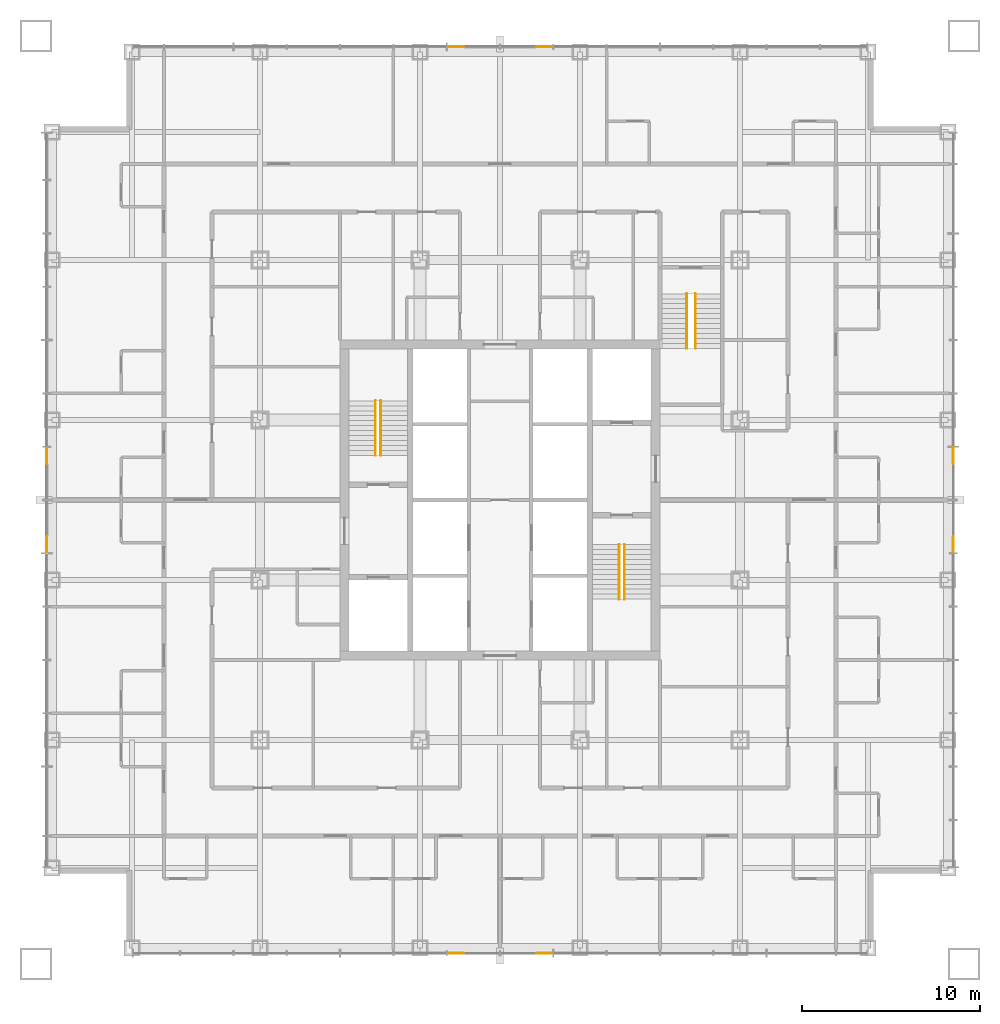
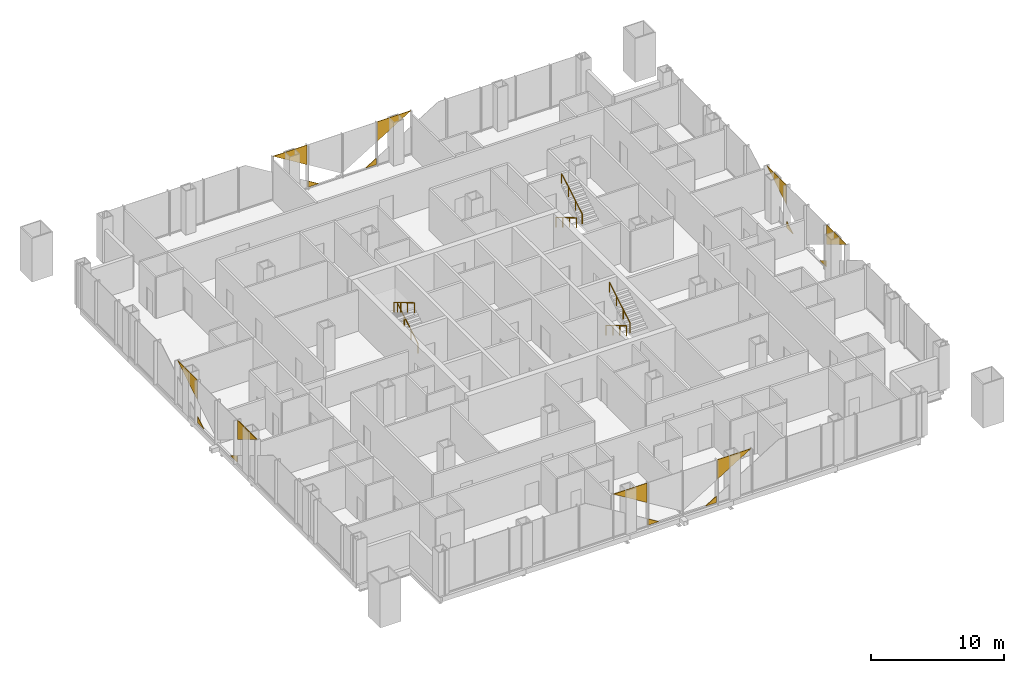
# One storey, part 13 of 13: 16 coverings, 6 railings.
"""IFC4 building model written with IfcOpenShell, lengths in metres."""

import ifcopenshell
import ifcopenshell.guid

model = None  # the IFC model being written
_history = None  # IfcOwnerHistory: only IFC2X3 demands one
_inside = {}  # id of a spatial element -> (the spatial element, [elements in it])
_under = {}  # id of a project, library or spatial element -> (it, [spatial elements below it])
_declared = {}  # id of a project -> (the project, [libraries it declares])
_typed = {}  # id of a type object -> (the type object, [elements of that type])
_made_of = {}  # id of a material, layer set ... -> (it, [elements and type objects made of it])


def new_model(schema):
    """Start an empty IFC model of exactly this schema.

    Asked for "IFC4X3", IfcOpenShell would pick the latest addendum, in which some entities
    have other attributes; the version numbers below select the first issue.
    IFC2X3 requires an IfcOwnerHistory on every rooted entity: one is made here for all.
    """
    global model, _history
    if schema == "IFC4X3":
        model = ifcopenshell.file(schema_version=(4, 3, 0, 0))
    else:
        model = ifcopenshell.file(schema=schema)
    _inside.clear()
    _under.clear()
    _declared.clear()
    _typed.clear()
    _made_of.clear()
    _history = None
    if model.schema == "IFC2X3":
        org = make("IfcOrganization", Name="unknown")
        user = make(
            "IfcPersonAndOrganization",
            ThePerson=make("IfcPerson", FamilyName="unknown"),
            TheOrganization=org,
        )
        app = make(
            "IfcApplication",
            ApplicationDeveloper=org,
            Version="unknown",
            ApplicationFullName="unknown",
            ApplicationIdentifier="unknown",
        )
        _history = make(
            "IfcOwnerHistory",
            OwningUser=user,
            OwningApplication=app,
            ChangeAction="ADDED",
            CreationDate=0,
        )
    return model


def make(cls, **values):
    """One entity of the class cls with the attributes given. An attribute that is None is left unset."""
    return model.create_entity(
        cls, **{name: value for name, value in values.items() if value is not None}
    )


def rooted(cls, **values):
    """An entity with a GlobalId (a new one), such as an element, a storey or a relation."""
    return make(cls, GlobalId=ifcopenshell.guid.new(), OwnerHistory=_history, **values)


def si_unit(unit_type, name, prefix=None):
    """IfcSIUnit, for example si_unit("LENGTHUNIT", "METRE", prefix="MILLI")."""
    return make("IfcSIUnit", UnitType=unit_type, Prefix=prefix, Name=name)


def assignment(units):
    """IfcUnitAssignment: the units of a project."""
    return None if units is None else make("IfcUnitAssignment", Units=units)


def point(xyz):
    """IfcCartesianPoint."""
    return None if xyz is None else make("IfcCartesianPoint", Coordinates=xyz)


def direction(xyz):
    """IfcDirection."""
    return None if xyz is None else make("IfcDirection", DirectionRatios=xyz)


def frame(location, z_axis=None, x_axis=None):
    """IfcAxis2Placement3D, a coordinate frame: its origin and axes. An axis left out is left unset."""
    return make(
        "IfcAxis2Placement3D",
        Location=point(location),
        Axis=direction(z_axis),
        RefDirection=direction(x_axis),
    )


def frame_2d(location, x_axis=None):
    """IfcAxis2Placement2D, a coordinate frame in the plane: its origin and x axis."""
    return make(
        "IfcAxis2Placement2D", Location=point(location), RefDirection=direction(x_axis)
    )


def origin():
    """The frame at (0, 0, 0) with its axes left unset."""
    return frame((0.0, 0.0, 0.0))


def origin_2d():
    """The frame at (0, 0) in the plane with its x axis left unset."""
    return frame_2d((0.0, 0.0))


def place(relative_to, where):
    """IfcLocalPlacement: puts the frame where relative to a parent placement (None: the world)."""
    return make(
        "IfcLocalPlacement", PlacementRelTo=relative_to, RelativePlacement=where
    )


def context(
    kind, dimensions, precision=None, world=None, true_north=None, identifier=None
):
    """IfcGeometricRepresentationContext, for example the 3D "Model" context."""
    return make(
        "IfcGeometricRepresentationContext",
        ContextIdentifier=identifier,
        ContextType=kind,
        CoordinateSpaceDimension=dimensions,
        Precision=precision,
        WorldCoordinateSystem=world,
        TrueNorth=true_north,
    )


def subcontext(parent, identifier, kind, view, scale=None):
    """IfcGeometricRepresentationSubContext, for example "Body" below "Model"."""
    return make(
        "IfcGeometricRepresentationSubContext",
        ContextIdentifier=identifier,
        ContextType=kind,
        ParentContext=parent,
        TargetScale=scale,
        TargetView=view,
    )


def project(units=None, contexts=None):
    """IfcProject with its units and contexts."""
    return rooted(
        "IfcProject",
        Name="project",
        RepresentationContexts=contexts,
        UnitsInContext=assignment(units),
    )


def spatial(cls, under=None, at=None, **own):
    """A site, building, storey or space (cls), placed at a placement, below another one or the project."""
    s = rooted(cls, ObjectPlacement=at, **own)
    if under is not None:
        _under.setdefault(under.id(), (under, []))[1].append(s)
    return s


def polyline(points):
    """IfcPolyline through the points."""
    return make("IfcPolyline", Points=[point(p) for p in points])


def profile(cls, at=None, kind="AREA", **sizes):
    """A parametric profile (cls). Its sizes go by their IFC names, for example OverallWidth=200.0."""
    return make(cls, ProfileType=kind, Position=at, **sizes)


def circle(**sizes):
    """IfcCircleProfileDef."""
    return profile("IfcCircleProfileDef", **sizes)


def outline(outer, holes=None, kind="AREA"):
    """IfcArbitraryClosedProfileDef: a profile drawn as a closed curve; with holes, ...WithVoids."""
    if holes is None:
        return make("IfcArbitraryClosedProfileDef", ProfileType=kind, OuterCurve=outer)
    return make(
        "IfcArbitraryProfileDefWithVoids",
        ProfileType=kind,
        OuterCurve=outer,
        InnerCurves=holes,
    )


def extrude(swept, where, along, depth):
    """IfcExtrudedAreaSolid: the profile swept, set in the frame where, extruded along a direction by depth."""
    return make(
        "IfcExtrudedAreaSolid",
        SweptArea=swept,
        Position=where,
        ExtrudedDirection=direction(along),
        Depth=depth,
    )


def shape(context_of_items, identifier, shape_type, items):
    """IfcShapeRepresentation: the items that make up one representation, for example the "Body"."""
    return make(
        "IfcShapeRepresentation",
        ContextOfItems=context_of_items,
        RepresentationIdentifier=identifier,
        RepresentationType=shape_type,
        Items=items,
    )


def material(Name=None, Category=None):
    """IfcMaterial."""
    return make("IfcMaterial", Name=Name, Category=Category)


def layer(
    of_material, thickness, ventilated=None, Name=None, Category=None, Priority=None
):
    """IfcMaterialLayer: one layer of a wall or slab, of a material (None: an air gap)."""
    return make(
        "IfcMaterialLayer",
        Material=of_material,
        LayerThickness=thickness,
        IsVentilated=ventilated,
        Name=Name,
        Category=Category,
        Priority=Priority,
    )


def layer_set(layers, Name=None):
    """IfcMaterialLayerSet."""
    return make("IfcMaterialLayerSet", MaterialLayers=layers, LayerSetName=Name)


def made_of(thing, what):
    """Note that an element or type object is made of a material, layer set ...; save() writes the relation."""
    if what is not None:
        _made_of.setdefault(what.id(), (what, []))[1].append(thing)
    return thing


def type_object(cls, material=None, **own):
    """A type object (cls), such as IfcWallType, which elements share."""
    return made_of(rooted(cls, **own), material)


def element(
    cls,
    number,
    at=None,
    inside=None,
    cuts=None,
    type_object=None,
    material=None,
    context=None,
    identifier="Body",
    shape_type=None,
    held_by="IfcProductDefinitionShape",
    body=None,
    shapes=None,
    **own,
):
    """One element of the class cls, such as IfcWall. Its Tag is "e" and its number.

    at: its placement. inside: the storey or other place that contains it. cuts: it is an
    opening in that element (IfcRelVoidsElement). A single representation is given by context,
    identifier, shape_type and body (its items); several are given by shapes. held_by: the class
    of the entity that holds the representations. save() writes the other relations.
    """
    e = rooted(cls, Tag="e%d" % number, ObjectPlacement=at, **own)
    if body is not None:
        shapes = [shape(context, identifier, shape_type, body)]
    if shapes is not None:
        e.Representation = make(held_by, Representations=shapes)
    if inside is not None:
        _inside.setdefault(inside.id(), (inside, []))[1].append(e)
    if cuts is not None:
        rooted(
            "IfcRelVoidsElement", RelatingBuildingElement=cuts, RelatedOpeningElement=e
        )
    if type_object is not None:
        _typed.setdefault(type_object.id(), (type_object, []))[1].append(e)
    return made_of(e, material)


def aggregate(whole, parts):
    """IfcRelAggregates: a whole, such as a stair, and the parts it consists of."""
    return rooted("IfcRelAggregates", RelatingObject=whole, RelatedObjects=parts)


def save(model, path):
    """Write the relations noted so far, then the file.

    IfcRelAggregates (storeys below a building ...), IfcRelContainedInSpatialStructure (elements
    in a storey), IfcRelDefinesByType, IfcRelAssociatesMaterial and IfcRelDeclares: one each for
    every whole, place, type object, material and project.
    """
    for whole, parts in _under.values():
        aggregate(whole, parts)
    for where, things in _inside.values():
        rooted(
            "IfcRelContainedInSpatialStructure",
            RelatedElements=things,
            RelatingStructure=where,
        )
    for kind, things in _typed.values():
        rooted("IfcRelDefinesByType", RelatedObjects=things, RelatingType=kind)
    for what, things in _made_of.values():
        rooted("IfcRelAssociatesMaterial", RelatedObjects=things, RelatingMaterial=what)
    for by, libraries in _declared.values():
        rooted("IfcRelDeclares", RelatingContext=by, RelatedDefinitions=libraries)
    model.write(path)


model = new_model("IFC4")

# Units and contexts
model_context = context("Model", 3, precision=1e-05, world=origin(), true_north=direction((0.0, 1.0)))
body_context = subcontext(model_context, "Body", "Model", "MODEL_VIEW")
ifc_project = project(units=[si_unit("LENGTHUNIT", "METRE"), si_unit("AREAUNIT", "SQUARE_METRE"), si_unit("VOLUMEUNIT", "CUBIC_METRE"), si_unit("PLANEANGLEUNIT", "RADIAN"), si_unit("MASSUNIT", "GRAM", prefix="KILO")], contexts=[model_context])

# Site, building, storey
site_placement = place(None, origin())
site = spatial("IfcSite", under=ifc_project, at=site_placement, CompositionType="ELEMENT")
building_placement = place(site_placement, origin())
building = spatial("IfcBuilding", under=site, at=building_placement, Name="Malebo Sky Hospital", CompositionType="ELEMENT")
storey_placement = place(building_placement, frame((0.0, 0.0, 79.0)))
storey = spatial("IfcBuildingStorey", under=building, at=storey_placement, Name="L18", CompositionType="ELEMENT", Elevation=79.0)

# Coverings
ifc_material_1 = material(Name="Anodised aluminium, natural silver insulated infill panel", Category="aluminium")
ifc_layer = layer(ifc_material_1, 0.0400390625)
ifc_layer_set = layer_set([ifc_layer], Name="BRACE INFILL PANEL 40")
covering_type = type_object("IfcCoveringType", Name="BRACE INFILL PANEL 40", PredefinedType="CLADDING", material=ifc_layer_set)
covering_1_placement = place(storey_placement, frame((55.5, 87.5, 2.19580078125), z_axis=(0.0, 0.0, 1.0), x_axis=(1.0, 0.0, 0.0)))
element("IfcCovering", 1, at=covering_1_placement, inside=storey, type_object=covering_type, Name="Brace infill panel 6.1", PredefinedType="CLADDING", context=body_context, shape_type="SweptSolid", body=[
    extrude(outline(polyline([(1.46240234375, 0.0), (1.46240234375, 1.794189453125), (-1.46240234375, 1.794189453125), (-1.46240234375, 1.793212890625), (1.46240234375, 0.0)])), frame((0.0, 0.02001953125, 0.0), z_axis=(0.0, -1.0, 0.0), x_axis=(1.0, 0.0, 0.0)), (0.0, 0.0, 1.0), 0.0400390625),
])
covering_2_placement = place(storey_placement, frame((57.5126953125, 87.5, 0.10009765625), z_axis=(0.0, 0.0, 1.0), x_axis=(1.0, 0.0, 0.0)))
element("IfcCovering", 2, at=covering_2_placement, inside=storey, type_object=covering_type, Name="Brace infill panel 7.1", PredefinedType="CLADDING", context=body_context, shape_type="SweptSolid", body=[
    extrude(outline(polyline([(-0.47509765625, 0.0), (0.47509765625, 0.0), (-0.47509765625, 0.58251953125), (-0.47509765625, 0.0)])), frame((0.0, 0.02001953125, 0.0), z_axis=(0.0, -1.0, 0.0), x_axis=(1.0, 0.0, 0.0)), (0.0, 0.0, 1.0), 0.0400390625),
])
covering_3_placement = place(storey_placement, frame((62.4873046875, 87.5, 0.10009765625), z_axis=(0.0, 0.0, 1.0), x_axis=(1.0, 0.0, 0.0)))
element("IfcCovering", 3, at=covering_3_placement, inside=storey, type_object=covering_type, Name="Brace infill panel 8.1", PredefinedType="CLADDING", context=body_context, shape_type="SweptSolid", body=[
    extrude(outline(polyline([(-0.47509765625, 0.0), (0.47509765625, 0.0), (0.47509765625, 0.58251953125), (-0.47509765625, 0.0)])), frame((0.0, 0.02001953125, 0.0), z_axis=(0.0, -1.0, 0.0), x_axis=(1.0, 0.0, 0.0)), (0.0, 0.0, 1.0), 0.0400390625),
])
covering_4_placement = place(storey_placement, frame((64.5, 87.5, 2.19580078125), z_axis=(0.0, 0.0, 1.0), x_axis=(1.0, 0.0, 0.0)))
element("IfcCovering", 4, at=covering_4_placement, inside=storey, type_object=covering_type, Name="Brace infill panel 9.1", PredefinedType="CLADDING", context=body_context, shape_type="SweptSolid", body=[
    extrude(outline(polyline([(-1.46240234375, 0.0), (1.46240234375, 1.793212890625), (1.46240234375, 1.794189453125), (-1.46240234375, 1.794189453125), (-1.46240234375, 0.0)])), frame((0.0, 0.02001953125, 0.0), z_axis=(0.0, -1.0, 0.0), x_axis=(1.0, 0.0, 0.0)), (0.0, 0.0, 1.0), 0.0400390625),
])
covering_5_placement = place(storey_placement, frame((34.5, 57.5, 2.19580078125), z_axis=(0.0, 0.0, 1.0), x_axis=(0.0, 1.0, 0.0)))
element("IfcCovering", 5, at=covering_5_placement, inside=storey, type_object=covering_type, Name="Brace infill panel 6.1", PredefinedType="CLADDING", context=body_context, shape_type="SweptSolid", body=[
    extrude(outline(polyline([(1.46240234375, 0.0), (1.46240234375, 1.794189453125), (-1.46240234375, 1.794189453125), (-1.46240234375, 1.793212890625), (1.46240234375, 0.0)])), frame((0.0, 0.02001953125, 0.0), z_axis=(0.0, -1.0, 0.0), x_axis=(1.0, 0.0, 0.0)), (0.0, 0.0, 1.0), 0.0400390625),
])
covering_6_placement = place(storey_placement, frame((34.5, 59.5126953125, 0.10009765625), z_axis=(0.0, 0.0, 1.0), x_axis=(0.0, 1.0, 0.0)))
element("IfcCovering", 6, at=covering_6_placement, inside=storey, type_object=covering_type, Name="Brace infill panel 7.1", PredefinedType="CLADDING", context=body_context, shape_type="SweptSolid", body=[
    extrude(outline(polyline([(-0.47509765625, 0.0), (0.47509765625, 0.0), (-0.47509765625, 0.58251953125), (-0.47509765625, 0.0)])), frame((0.0, 0.02001953125, 0.0), z_axis=(0.0, -1.0, 0.0), x_axis=(1.0, 0.0, 0.0)), (0.0, 0.0, 1.0), 0.0400390625),
])
covering_7_placement = place(storey_placement, frame((34.5, 64.4873046875, 0.10009765625), z_axis=(0.0, 0.0, 1.0), x_axis=(0.0, 1.0, 0.0)))
element("IfcCovering", 7, at=covering_7_placement, inside=storey, type_object=covering_type, Name="Brace infill panel 8.1", PredefinedType="CLADDING", context=body_context, shape_type="SweptSolid", body=[
    extrude(outline(polyline([(-0.47509765625, 0.0), (0.47509765625, 0.0), (0.47509765625, 0.58251953125), (-0.47509765625, 0.0)])), frame((0.0, 0.02001953125, 0.0), z_axis=(0.0, -1.0, 0.0), x_axis=(1.0, 0.0, 0.0)), (0.0, 0.0, 1.0), 0.0400390625),
])
covering_8_placement = place(storey_placement, frame((34.5, 66.5, 2.19580078125), z_axis=(0.0, 0.0, 1.0), x_axis=(0.0, 1.0, 0.0)))
element("IfcCovering", 8, at=covering_8_placement, inside=storey, type_object=covering_type, Name="Brace infill panel 9.1", PredefinedType="CLADDING", context=body_context, shape_type="SweptSolid", body=[
    extrude(outline(polyline([(-1.46240234375, 0.0), (1.46240234375, 1.793212890625), (1.46240234375, 1.794189453125), (-1.46240234375, 1.794189453125), (-1.46240234375, 0.0)])), frame((0.0, 0.02001953125, 0.0), z_axis=(0.0, -1.0, 0.0), x_axis=(1.0, 0.0, 0.0)), (0.0, 0.0, 1.0), 0.0400390625),
])
covering_9_placement = place(storey_placement, frame((64.5, 36.5, 2.19580078125), z_axis=(0.0, 0.0, 1.0), x_axis=(-1.0, 0.0, 0.0)))
element("IfcCovering", 9, at=covering_9_placement, inside=storey, type_object=covering_type, Name="Brace infill panel 6.1", PredefinedType="CLADDING", context=body_context, shape_type="SweptSolid", body=[
    extrude(outline(polyline([(1.46240234375, 0.0), (1.46240234375, 1.794189453125), (-1.46240234375, 1.794189453125), (-1.46240234375, 1.793212890625), (1.46240234375, 0.0)])), frame((0.0, 0.02001953125, 0.0), z_axis=(0.0, -1.0, 0.0), x_axis=(1.0, 0.0, 0.0)), (0.0, 0.0, 1.0), 0.0400390625),
])
covering_10_placement = place(storey_placement, frame((62.4873046875, 36.5, 0.10009765625), z_axis=(0.0, 0.0, 1.0), x_axis=(-1.0, 0.0, 0.0)))
element("IfcCovering", 10, at=covering_10_placement, inside=storey, type_object=covering_type, Name="Brace infill panel 7.1", PredefinedType="CLADDING", context=body_context, shape_type="SweptSolid", body=[
    extrude(outline(polyline([(-0.47509765625, 0.0), (0.47509765625, 0.0), (-0.47509765625, 0.58251953125), (-0.47509765625, 0.0)])), frame((0.0, 0.02001953125, 0.0), z_axis=(0.0, -1.0, 0.0), x_axis=(1.0, 0.0, 0.0)), (0.0, 0.0, 1.0), 0.0400390625),
])
covering_11_placement = place(storey_placement, frame((57.5126953125, 36.5, 0.10009765625), z_axis=(0.0, 0.0, 1.0), x_axis=(-1.0, 0.0, 0.0)))
element("IfcCovering", 11, at=covering_11_placement, inside=storey, type_object=covering_type, Name="Brace infill panel 8.1", PredefinedType="CLADDING", context=body_context, shape_type="SweptSolid", body=[
    extrude(outline(polyline([(-0.47509765625, 0.0), (0.47509765625, 0.0), (0.47509765625, 0.58251953125), (-0.47509765625, 0.0)])), frame((0.0, 0.02001953125, 0.0), z_axis=(0.0, -1.0, 0.0), x_axis=(1.0, 0.0, 0.0)), (0.0, 0.0, 1.0), 0.0400390625),
])
covering_12_placement = place(storey_placement, frame((55.5, 36.5, 2.19580078125), z_axis=(0.0, 0.0, 1.0), x_axis=(-1.0, 0.0, 0.0)))
element("IfcCovering", 12, at=covering_12_placement, inside=storey, type_object=covering_type, Name="Brace infill panel 9.1", PredefinedType="CLADDING", context=body_context, shape_type="SweptSolid", body=[
    extrude(outline(polyline([(-1.46240234375, 0.0), (1.46240234375, 1.793212890625), (1.46240234375, 1.794189453125), (-1.46240234375, 1.794189453125), (-1.46240234375, 0.0)])), frame((0.0, 0.02001953125, 0.0), z_axis=(0.0, -1.0, 0.0), x_axis=(1.0, 0.0, 0.0)), (0.0, 0.0, 1.0), 0.0400390625),
])
covering_13_placement = place(storey_placement, frame((85.5, 66.5, 2.19580078125), z_axis=(0.0, 0.0, 1.0), x_axis=(0.0, -1.0, 0.0)))
element("IfcCovering", 13, at=covering_13_placement, inside=storey, type_object=covering_type, Name="Brace infill panel 6.1", PredefinedType="CLADDING", context=body_context, shape_type="SweptSolid", body=[
    extrude(outline(polyline([(1.46240234375, 0.0), (1.46240234375, 1.794189453125), (-1.46240234375, 1.794189453125), (-1.46240234375, 1.793212890625), (1.46240234375, 0.0)])), frame((0.0, 0.02001953125, 0.0), z_axis=(0.0, -1.0, 0.0), x_axis=(1.0, 0.0, 0.0)), (0.0, 0.0, 1.0), 0.0400390625),
])
covering_14_placement = place(storey_placement, frame((85.5, 64.4873046875, 0.10009765625), z_axis=(0.0, 0.0, 1.0), x_axis=(0.0, -1.0, 0.0)))
element("IfcCovering", 14, at=covering_14_placement, inside=storey, type_object=covering_type, Name="Brace infill panel 7.1", PredefinedType="CLADDING", context=body_context, shape_type="SweptSolid", body=[
    extrude(outline(polyline([(-0.47509765625, 0.0), (0.47509765625, 0.0), (-0.47509765625, 0.58251953125), (-0.47509765625, 0.0)])), frame((0.0, 0.02001953125, 0.0), z_axis=(0.0, -1.0, 0.0), x_axis=(1.0, 0.0, 0.0)), (0.0, 0.0, 1.0), 0.0400390625),
])
covering_15_placement = place(storey_placement, frame((85.5, 59.5126953125, 0.10009765625), z_axis=(0.0, 0.0, 1.0), x_axis=(0.0, -1.0, 0.0)))
element("IfcCovering", 15, at=covering_15_placement, inside=storey, type_object=covering_type, Name="Brace infill panel 8.1", PredefinedType="CLADDING", context=body_context, shape_type="SweptSolid", body=[
    extrude(outline(polyline([(-0.47509765625, 0.0), (0.47509765625, 0.0), (0.47509765625, 0.58251953125), (-0.47509765625, 0.0)])), frame((0.0, 0.02001953125, 0.0), z_axis=(0.0, -1.0, 0.0), x_axis=(1.0, 0.0, 0.0)), (0.0, 0.0, 1.0), 0.0400390625),
])
covering_16_placement = place(storey_placement, frame((85.5, 57.5, 2.19580078125), z_axis=(0.0, 0.0, 1.0), x_axis=(0.0, -1.0, 0.0)))
element("IfcCovering", 16, at=covering_16_placement, inside=storey, type_object=covering_type, Name="Brace infill panel 9.1", PredefinedType="CLADDING", context=body_context, shape_type="SweptSolid", body=[
    extrude(outline(polyline([(-1.46240234375, 0.0), (1.46240234375, 1.793212890625), (1.46240234375, 1.794189453125), (-1.46240234375, 1.794189453125), (-1.46240234375, 0.0)])), frame((0.0, 0.02001953125, 0.0), z_axis=(0.0, -1.0, 0.0), x_axis=(1.0, 0.0, 0.0)), (0.0, 0.0, 1.0), 0.0400390625),
])

# Railings
ifc_material_2 = material(Name="Stainless steel tube", Category="steel")
railing_type = type_object("IfcRailingType", Name="STAIR HANDRAIL 900", PredefinedType="HANDRAIL", material=ifc_material_2)
railing_1_placement = place(storey_placement, frame((53.300048828125, 64.5, 0.166748046875)))
element("IfcRailing", 17, at=railing_1_placement, inside=storey, type_object=railing_type, Name="Stair handrail S1 flight 1", PredefinedType="HANDRAIL", context=body_context, shape_type="SweptSolid", body=[
    extrude(circle(Radius=0.02392578125, at=origin_2d()), frame((0.0, 0.0, 0.8759765625), z_axis=(0.0, 0.859308565015, 0.511457515432), x_axis=(-1.0, 0.0, 0.0)), (0.0, 0.0, 1.0), 3.58447265625),
    extrude(circle(Radius=0.02099609375, at=origin_2d()), origin(), (0.0, 0.0, 1.0), 0.851806640625),
    extrude(circle(Radius=0.02099609375, at=origin_2d()), frame((0.0, 1.026611328125, 0.611083984375)), (0.0, 0.0, 1.0), 0.851806640625),
    extrude(circle(Radius=0.02099609375, at=origin_2d()), frame((0.0, 2.053466796875, 1.22216796875)), (0.0, 0.0, 1.0), 0.851806640625),
    extrude(circle(Radius=0.02099609375, at=origin_2d()), frame((0.0, 3.080078125, 1.833251953125)), (0.0, 0.0, 1.0), 0.851806640625),
])
for number, where, name in (
    (18, (53.0, 67.580078125, 2.166748046875), "Stair handrail S1 flight 2"),
    (19, (66.699951171875, 59.5, 0.166748046875), "Stair handrail S2 flight 1"),
):
    element("IfcRailing", number, at=place(storey_placement, frame(where)), inside=storey, type_object=railing_type, Name=name, PredefinedType="HANDRAIL", context=body_context, shape_type="SweptSolid", body=[
        extrude(circle(Radius=0.02392578125, at=origin_2d()), frame((0.0, 0.0, 0.8759765625), z_axis=(0.0, -0.859308565015, 0.511457515432), x_axis=(1.0, 0.0, 0.0)), (0.0, 0.0, 1.0), 3.58447265625),
        extrude(circle(Radius=0.02099609375, at=origin_2d()), origin(), (0.0, 0.0, 1.0), 0.851806640625),
        extrude(circle(Radius=0.02099609375, at=origin_2d()), frame((0.0, -1.026611328125, 0.611083984375)), (0.0, 0.0, 1.0), 0.851806640625),
        extrude(circle(Radius=0.02099609375, at=origin_2d()), frame((0.0, -2.053466796875, 1.22216796875)), (0.0, 0.0, 1.0), 0.851806640625),
        extrude(circle(Radius=0.02099609375, at=origin_2d()), frame((0.0, -3.080078125, 1.833251953125)), (0.0, 0.0, 1.0), 0.851806640625),
    ])
railing_2_placement = place(storey_placement, frame((67.0, 56.419921875, 2.166748046875)))
element("IfcRailing", 20, at=railing_2_placement, inside=storey, type_object=railing_type, Name="Stair handrail S2 flight 2", PredefinedType="HANDRAIL", context=body_context, shape_type="SweptSolid", body=[
    extrude(circle(Radius=0.02392578125, at=origin_2d()), frame((0.0, 0.0, 0.8759765625), z_axis=(0.0, 0.859308565015, 0.511457515432), x_axis=(-1.0, 0.0, 0.0)), (0.0, 0.0, 1.0), 3.58447265625),
    extrude(circle(Radius=0.02099609375, at=origin_2d()), origin(), (0.0, 0.0, 1.0), 0.851806640625),
    extrude(circle(Radius=0.02099609375, at=origin_2d()), frame((0.0, 1.026611328125, 0.611083984375)), (0.0, 0.0, 1.0), 0.851806640625),
    extrude(circle(Radius=0.02099609375, at=origin_2d()), frame((0.0, 2.053466796875, 1.22216796875)), (0.0, 0.0, 1.0), 0.851806640625),
    extrude(circle(Radius=0.02099609375, at=origin_2d()), frame((0.0, 3.080078125, 1.833251953125)), (0.0, 0.0, 1.0), 0.851806640625),
])
railing_3_placement = place(storey_placement, frame((70.5, 73.60009765625, 0.166748046875)))
element("IfcRailing", 21, at=railing_3_placement, inside=storey, type_object=railing_type, Name="Stair handrail S3 flight 1", PredefinedType="HANDRAIL", context=body_context, shape_type="SweptSolid", body=[
    extrude(circle(Radius=0.02392578125, at=origin_2d()), frame((0.0, 0.0, 0.8759765625), z_axis=(0.0, -0.859308565015, 0.511457515432), x_axis=(1.0, 0.0, 0.0)), (0.0, 0.0, 1.0), 3.58447265625),
    extrude(circle(Radius=0.02099609375, at=origin_2d()), origin(), (0.0, 0.0, 1.0), 0.851806640625),
    extrude(circle(Radius=0.02099609375, at=origin_2d()), frame((0.0, -1.026611328125, 0.611083984375)), (0.0, 0.0, 1.0), 0.851806640625),
    extrude(circle(Radius=0.02099609375, at=origin_2d()), frame((0.0, -2.053466796875, 1.22216796875)), (0.0, 0.0, 1.0), 0.851806640625),
    extrude(circle(Radius=0.02099609375, at=origin_2d()), frame((0.0, -3.080078125, 1.833251953125)), (0.0, 0.0, 1.0), 0.851806640625),
])
railing_4_placement = place(storey_placement, frame((71.0, 70.52001953125, 2.166748046875)))
element("IfcRailing", 22, at=railing_4_placement, inside=storey, type_object=railing_type, Name="Stair handrail S3 flight 2", PredefinedType="HANDRAIL", context=body_context, shape_type="SweptSolid", body=[
    extrude(circle(Radius=0.02392578125, at=origin_2d()), frame((0.0, 0.0, 0.8759765625), z_axis=(0.0, 0.859308565015, 0.511457515432), x_axis=(-1.0, 0.0, 0.0)), (0.0, 0.0, 1.0), 3.58447265625),
    extrude(circle(Radius=0.02099609375, at=origin_2d()), origin(), (0.0, 0.0, 1.0), 0.851806640625),
    extrude(circle(Radius=0.02099609375, at=origin_2d()), frame((0.0, 1.026611328125, 0.611083984375)), (0.0, 0.0, 1.0), 0.851806640625),
    extrude(circle(Radius=0.02099609375, at=origin_2d()), frame((0.0, 2.053466796875, 1.22216796875)), (0.0, 0.0, 1.0), 0.851806640625),
    extrude(circle(Radius=0.02099609375, at=origin_2d()), frame((0.0, 3.080078125, 1.833251953125)), (0.0, 0.0, 1.0), 0.851806640625),
])

save(model, "model.ifc")
